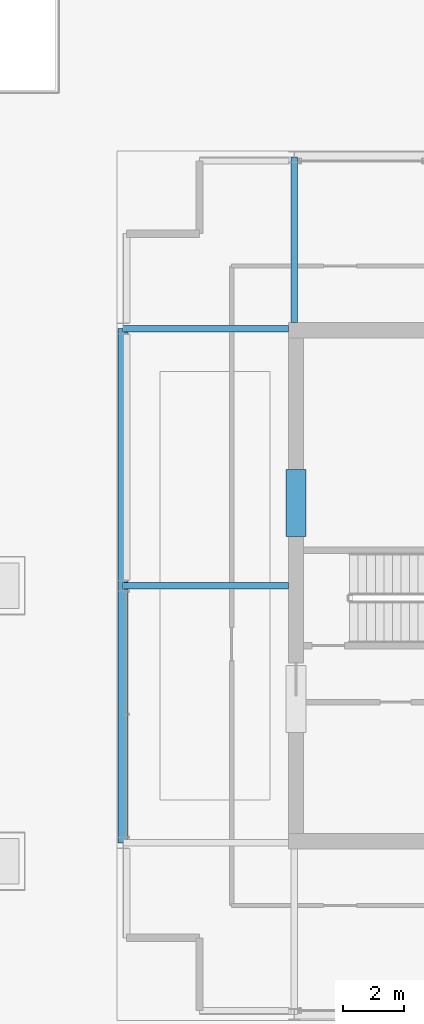
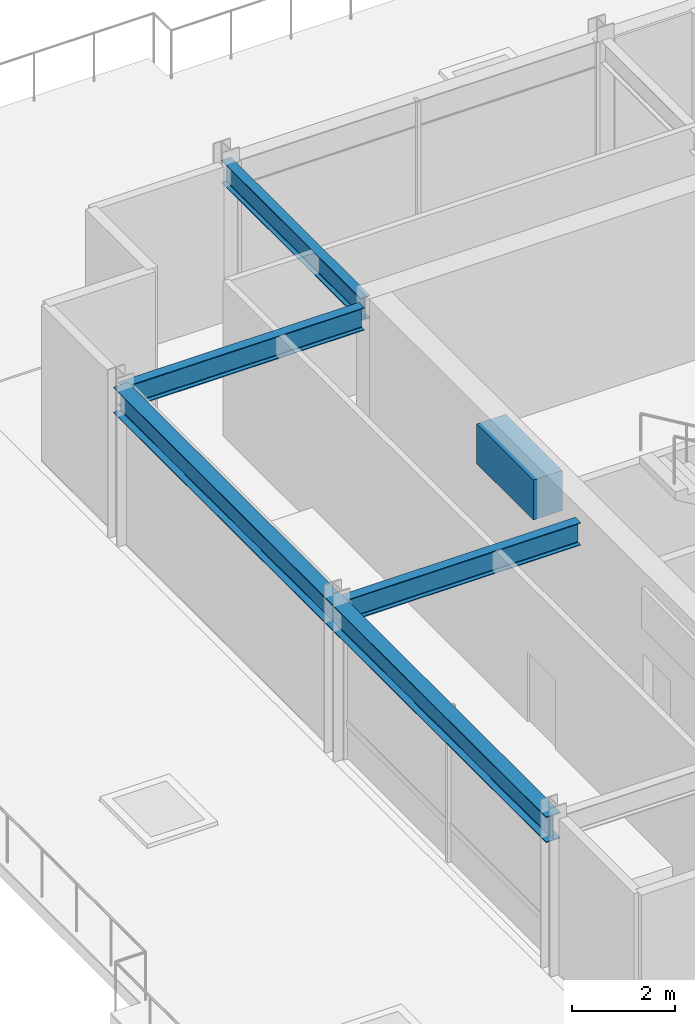
# One storey, part 8 of 17: 5 beams.
"""IFC4 building model written with IfcOpenShell, lengths in metres."""

from ifc_helpers import new_model, si_unit, direction, frame, origin, origin_2d, place, context, subcontext, project, spatial, rectangle, i_section, extrude, material, material_profile, profile_set, type_object, element, save


model = new_model("IFC4")

# Units and contexts
model_context = context("Model", 3, precision=1e-05, world=origin(), true_north=direction((0.0, 1.0)))
body_context = subcontext(model_context, "Body", "Model", "MODEL_VIEW")
ifc_project = project(units=[si_unit("LENGTHUNIT", "METRE"), si_unit("AREAUNIT", "SQUARE_METRE"), si_unit("VOLUMEUNIT", "CUBIC_METRE"), si_unit("PLANEANGLEUNIT", "RADIAN"), si_unit("MASSUNIT", "GRAM", prefix="KILO")], contexts=[model_context])

# Site, building, storey
site_placement = place(None, origin())
site = spatial("IfcSite", under=ifc_project, at=site_placement, CompositionType="ELEMENT")
building_placement = place(site_placement, origin())
building = spatial("IfcBuilding", under=site, at=building_placement, Name="Drelvath Grand Hotel", CompositionType="ELEMENT")
storey_placement = place(building_placement, frame((0.0, 0.0, 311.39990234375)))
storey = spatial("IfcBuildingStorey", under=building, at=storey_placement, Name="L81", CompositionType="ELEMENT", Elevation=311.39990234375)

# Beams
ifc_material_1 = material(Name="Concrete f'c 55 MPa", Category="concrete")
ifc_material_profile_1 = material_profile(ifc_material_1, rectangle(XDim=0.64990234375, YDim=0.949951171875, at=origin_2d()), Name="CB650X950")
ifc_profile_set_1 = profile_set([ifc_material_profile_1], Name="Concrete f'c 55 MPa")
beam_type_1 = type_object("IfcBeamType", Name="Core Coupling Lintel CB650X950", PredefinedType="LINTEL", material=ifc_profile_set_1)
beam_1_placement = place(storey_placement, frame((-8.35009765625, 28.60009765625, 3.205078125), z_axis=(0.0, 1.0, 0.0), x_axis=(-1.0, 0.0, 0.0)))
element("IfcBeam", 1, at=beam_1_placement, inside=storey, type_object=beam_type_1, Name="L81 Core Coupling Lintel WN", PredefinedType="LINTEL", context=body_context, shape_type="SweptSolid", body=[
    extrude(rectangle(XDim=0.64990234375, YDim=0.949951171875, at=origin_2d()), origin(), (0.0, 0.0, 1.0), 2.199951171875),
])
ifc_material_2 = material(Name="Steel ASTM A992 Gr 50", Category="steel")
ifc_material_profile_2 = material_profile(ifc_material_2, i_section(OverallWidth=0.210205078125, OverallDepth=0.53662109375, WebThickness=0.010986328125, FlangeThickness=0.017333984375, FilletRadius=0.01806640625, at=origin_2d()), Name="W21X68")
ifc_profile_set_2 = profile_set([ifc_material_profile_2], Name="Steel ASTM A992 Gr 50")
beam_type_2 = type_object("IfcBeamType", Name="Primary Floor Girder W21X68", PredefinedType="BEAM", material=ifc_profile_set_2)
for number, where, z_axis, x_axis, name in (
    (2, (-14.0, 27.0, 3.41162109375), (1.0, 0.0, 0.0), (0.0, 1.0, 0.0), "L81 Crown Drum Tie West E"),
    (3, (-14.0, 35.39990234375, 3.41162109375), (1.0, 0.0, 0.0), (0.0, 1.0, 0.0), "L81 Crown Drum Tie West F"),
    (4, (-8.39990234375, 35.60009765625, 3.41162109375), (0.0, 1.0, 0.0), (-1.0, 0.0, 0.0), "L81 Crown Drum Tie North 4"),
):
    element("IfcBeam", number, at=place(storey_placement, frame(where, z_axis=z_axis, x_axis=x_axis)), inside=storey, type_object=beam_type_2, Name=name, PredefinedType="BEAM", context=body_context, shape_type="SweptSolid", body=[
        extrude(i_section(OverallWidth=0.210205078125, OverallDepth=0.53662109375, WebThickness=0.010986328125, FlangeThickness=0.017333984375, FilletRadius=0.01806640625, at=origin_2d()), origin(), (0.0, 0.0, 1.0), 5.39990234375),
    ])
ifc_material_profile_3 = material_profile(ifc_material_2, i_section(OverallWidth=0.323974609375, OverallDepth=0.611083984375, WebThickness=0.0126953125, FlangeThickness=0.01904296875, FilletRadius=0.02197265625, at=origin_2d()), Name="W24X104")
ifc_profile_set_3 = profile_set([ifc_material_profile_3], Name="Steel ASTM A992 Gr 50")
beam_type_3 = type_object("IfcBeamType", Name="Primary Floor Girder W24X104", PredefinedType="BEAM", material=ifc_profile_set_3)
beam_2_placement = place(storey_placement, frame((-14.0, 18.60009765625, 3.37451171875), z_axis=(0.0, 1.0, 0.0), x_axis=(-1.0, 0.0, 0.0)))
element("IfcBeam", 5, at=beam_2_placement, inside=storey, type_object=beam_type_3, Name="L81 Crown Drum Ring Beam West", PredefinedType="BEAM", context=body_context, shape_type="SweptSolid", body=[
    extrude(i_section(OverallWidth=0.323974609375, OverallDepth=0.611083984375, WebThickness=0.0126953125, FlangeThickness=0.01904296875, FilletRadius=0.02197265625, at=origin_2d()), origin(), (0.0, 0.0, 1.0), 16.7998046875),
])

save(model, "model.ifc")
